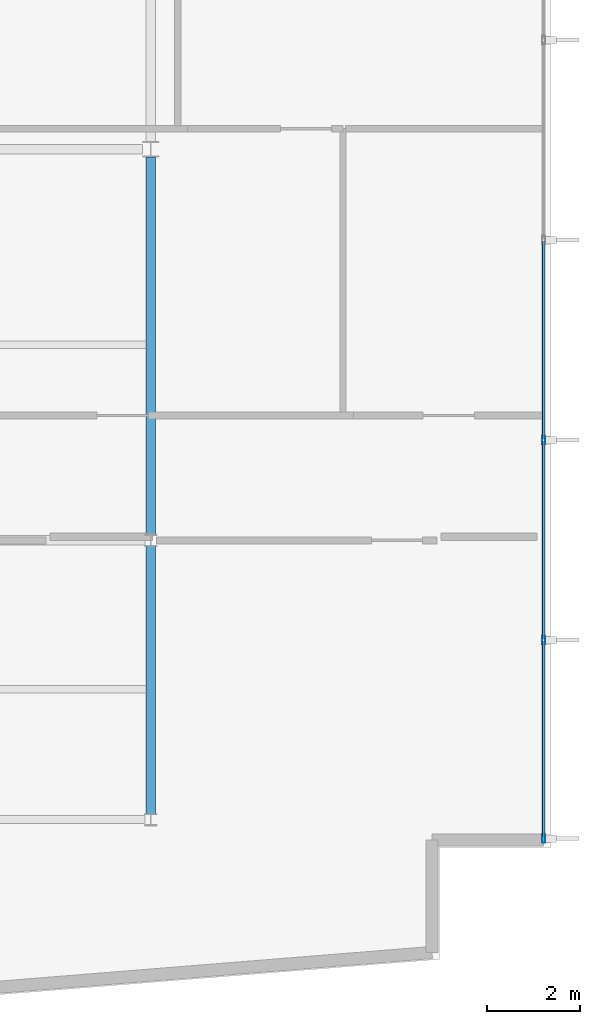
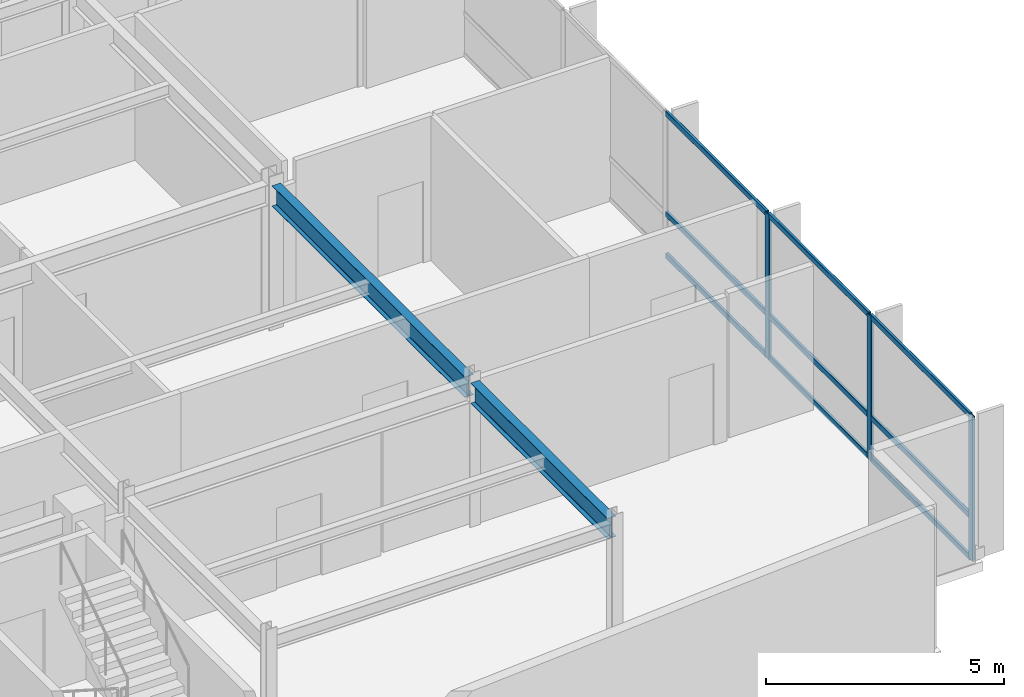
# One storey, part 7 of 16: 12 members, 2 beams, 1 element without a shape of its own.
"""IFC4 building model written with IfcOpenShell, lengths in metres."""

from ifc_helpers import new_model, si_unit, direction, frame, origin, origin_2d, place, context, subcontext, project, spatial, hollow_rectangle, i_section, extrude, material, layer, layer_set, material_profile, profile_set, type_object, element, aggregate, save


model = new_model("IFC4")

# Units and contexts
model_context = context("Model", 3, precision=1e-05, world=origin(), true_north=direction((0.0, 1.0)))
body_context = subcontext(model_context, "Body", "Model", "MODEL_VIEW")
ifc_project = project(units=[si_unit("LENGTHUNIT", "METRE"), si_unit("AREAUNIT", "SQUARE_METRE"), si_unit("VOLUMEUNIT", "CUBIC_METRE"), si_unit("PLANEANGLEUNIT", "RADIAN"), si_unit("MASSUNIT", "GRAM", prefix="KILO")], contexts=[model_context])

# Site, building, storey
site_placement = place(None, origin())
site = spatial("IfcSite", under=ifc_project, at=site_placement, CompositionType="ELEMENT")
building_placement = place(site_placement, origin())
building = spatial("IfcBuilding", under=site, at=building_placement, Name="Varnakote Quay Hospital", CompositionType="ELEMENT")
storey_placement = place(building_placement, frame((0.0, 0.0, 264.449951171875)))
storey = spatial("IfcBuildingStorey", under=building, at=storey_placement, Name="L65", CompositionType="ELEMENT", Elevation=264.449951171875)

# Beams
ifc_material_1 = material(Name="Structural steel AS/NZS 3679.1 Grade 350 L0 (fy 340 MPa)", Category="steel")
ifc_material_profile_1 = material_profile(ifc_material_1, i_section(OverallWidth=0.208984375, OverallDepth=0.528076171875, WebThickness=0.009521484375, FlangeThickness=0.01318359375, FilletRadius=0.013916015625, at=origin_2d()), Name="530UB82.0")
ifc_profile_set_1 = profile_set([ifc_material_profile_1], Name="Structural steel AS/NZS 3679.1 Grade 350 L0 (fy 340 MPa)")
beam_type = type_object("IfcBeamType", Name="BM-STL-530UB82-0", PredefinedType="BEAM", material=ifc_profile_set_1)
beam_1_placement = place(storey_placement, frame((33.60009765625, 6.126953125, 3.446044921875), z_axis=(0.0, 1.0, 0.0), x_axis=(-1.0, 0.0, 0.0)))
element("IfcBeam", 1, at=beam_1_placement, inside=storey, type_object=beam_type, Name="L65 Primary Tie Beam", PredefinedType="BEAM", context=body_context, shape_type="SweptSolid", body=[
    extrude(i_section(OverallWidth=0.208984375, OverallDepth=0.528076171875, WebThickness=0.009521484375, FlangeThickness=0.01318359375, FilletRadius=0.013916015625, at=origin_2d()), origin(), (0.0, 0.0, 1.0), 5.74609375),
])
beam_2_placement = place(storey_placement, frame((33.60009765625, 12.126953125, 3.446044921875), z_axis=(0.0, 1.0, 0.0), x_axis=(-1.0, 0.0, 0.0)))
element("IfcBeam", 2, at=beam_2_placement, inside=storey, type_object=beam_type, Name="L65 Primary Tie Beam", PredefinedType="BEAM", context=body_context, shape_type="SweptSolid", body=[
    extrude(i_section(OverallWidth=0.208984375, OverallDepth=0.528076171875, WebThickness=0.009521484375, FlangeThickness=0.01318359375, FilletRadius=0.013916015625, at=origin_2d()), origin(), (0.0, 0.0, 1.0), 8.10302734375),
])

# Curtain wall, members
ifc_material_2 = material(Name="Anodised aluminium 6063-T6 Bronze", Category="aluminium")
ifc_layer = layer(ifc_material_2, 0.235107421875)
ifc_layer_set = layer_set([ifc_layer], Name="Anodised aluminium 6063-T6 Bronze")
curtain_wall_type = type_object("IfcCurtainWallType", Name="CW-SYS-5", PredefinedType="NOTDEFINED", material=ifc_layer_set)
curtain_wall_placement = place(storey_placement, origin())
curtain_wall = element("IfcCurtainWall", 3, at=curtain_wall_placement, inside=storey, type_object=curtain_wall_type, Name="L65 Unitised Bronze Curtain Wall 1", PredefinedType="NOTDEFINED")
ifc_material_3 = material(Name="Anodised aluminium 6063-T6 Bronze", Category="aluminium")
ifc_material_profile_2 = material_profile(ifc_material_3, hollow_rectangle(XDim=0.06494140625, YDim=0.179931640625, WallThickness=0.00390625, InnerFilletRadius=0.00390625, OuterFilletRadius=0.008056640625, at=origin_2d()), Name="CW-MULL-180x65")
ifc_profile_set_2 = profile_set([ifc_material_profile_2], Name="Anodised aluminium 6063-T6 Bronze")
member_type_1 = type_object("IfcMemberType", Name="CW-MULL-180x65", PredefinedType="MULLION", material=ifc_profile_set_2)
member_1_placement = place(storey_placement, frame((42.0400390625, 5.592529296875, 0.0), z_axis=(0.0, 0.0, 1.0), x_axis=(-1.0, 0.0, 0.0)))
member_1 = element("IfcMember", 4, at=member_1_placement, type_object=member_type_1, Name="-5-L65-1 mullion 1", PredefinedType="MULLION", context=body_context, shape_type="SweptSolid", body=[
    extrude(hollow_rectangle(XDim=0.06494140625, YDim=0.179931640625, WallThickness=0.00390625, InnerFilletRadius=0.00390625, OuterFilletRadius=0.008056640625, at=origin_2d()), origin(), (0.0, 0.0, 1.0), 3.7099609375),
])
member_2_placement = place(storey_placement, frame((42.0400390625, 9.85595703125, 0.0), z_axis=(0.0, 0.0, 1.0), x_axis=(-1.0, 0.0, 0.0)))
member_2 = element("IfcMember", 5, at=member_2_placement, type_object=member_type_1, Name="-5-L65-1 mullion 2", PredefinedType="MULLION", context=body_context, shape_type="SweptSolid", body=[
    extrude(hollow_rectangle(XDim=0.06494140625, YDim=0.179931640625, WallThickness=0.00390625, InnerFilletRadius=0.00390625, OuterFilletRadius=0.008056640625, at=origin_2d()), origin(), (0.0, 0.0, 1.0), 3.7099609375),
])
member_3_placement = place(storey_placement, frame((42.0400390625, 14.152099609375, 0.0), z_axis=(0.0, 0.0, 1.0), x_axis=(-1.0, 0.0, 0.0)))
member_3 = element("IfcMember", 6, at=member_3_placement, type_object=member_type_1, Name="-5-L65-1 mullion 3", PredefinedType="MULLION", context=body_context, shape_type="SweptSolid", body=[
    extrude(hollow_rectangle(XDim=0.06494140625, YDim=0.179931640625, WallThickness=0.00390625, InnerFilletRadius=0.00390625, OuterFilletRadius=0.008056640625, at=origin_2d()), origin(), (0.0, 0.0, 1.0), 3.7099609375),
])
ifc_material_4 = material(Name="Anodised aluminium 6063-T6 Bronze", Category="aluminium")
ifc_material_profile_3 = material_profile(ifc_material_4, hollow_rectangle(XDim=0.06494140625, YDim=0.139892578125, WallThickness=0.00390625, InnerFilletRadius=0.00390625, OuterFilletRadius=0.007568359375, at=origin_2d()), Name="CW-TRAN-140x65")
ifc_profile_set_3 = profile_set([ifc_material_profile_3], Name="Anodised aluminium 6063-T6 Bronze")
member_type_2 = type_object("IfcMemberType", Name="CW-TRAN-140x65", PredefinedType="USERDEFINED", material=ifc_profile_set_3)
member_4_placement = place(storey_placement, frame((42.0400390625, 5.625, 0.032470703125), z_axis=(0.0, 1.0, 0.0), x_axis=(-1.0, 0.0, 0.0)))
member_4 = element("IfcMember", 7, at=member_4_placement, type_object=member_type_2, Name="-5-L65-1 transom 1.1", ObjectType="TRANSOM", PredefinedType="USERDEFINED", context=body_context, shape_type="SweptSolid", body=[
    extrude(hollow_rectangle(XDim=0.06494140625, YDim=0.139892578125, WallThickness=0.00390625, InnerFilletRadius=0.00390625, OuterFilletRadius=0.007568359375, at=origin_2d()), origin(), (0.0, 0.0, 1.0), 4.198486328125),
])
member_5_placement = place(storey_placement, frame((42.0400390625, 5.625, 1.10009765625), z_axis=(0.0, 1.0, 0.0), x_axis=(-1.0, 0.0, 0.0)))
member_5 = element("IfcMember", 8, at=member_5_placement, type_object=member_type_2, Name="-5-L65-1 transom 1.2", ObjectType="TRANSOM", PredefinedType="USERDEFINED", context=body_context, shape_type="SweptSolid", body=[
    extrude(hollow_rectangle(XDim=0.06494140625, YDim=0.139892578125, WallThickness=0.00390625, InnerFilletRadius=0.00390625, OuterFilletRadius=0.007568359375, at=origin_2d()), origin(), (0.0, 0.0, 1.0), 4.198486328125),
])
member_6_placement = place(storey_placement, frame((42.0400390625, 5.625, 3.677490234375), z_axis=(0.0, 1.0, 0.0), x_axis=(-1.0, 0.0, 0.0)))
member_6 = element("IfcMember", 9, at=member_6_placement, type_object=member_type_2, Name="-5-L65-1 transom 1.3", ObjectType="TRANSOM", PredefinedType="USERDEFINED", context=body_context, shape_type="SweptSolid", body=[
    extrude(hollow_rectangle(XDim=0.06494140625, YDim=0.139892578125, WallThickness=0.00390625, InnerFilletRadius=0.00390625, OuterFilletRadius=0.007568359375, at=origin_2d()), origin(), (0.0, 0.0, 1.0), 4.198486328125),
])
member_7_placement = place(storey_placement, frame((42.0400390625, 9.888427734375, 0.032470703125), z_axis=(0.0, 1.0, 0.0), x_axis=(-1.0, 0.0, 0.0)))
member_7 = element("IfcMember", 10, at=member_7_placement, type_object=member_type_2, Name="-5-L65-1 transom 2.1", ObjectType="TRANSOM", PredefinedType="USERDEFINED", context=body_context, shape_type="SweptSolid", body=[
    extrude(hollow_rectangle(XDim=0.06494140625, YDim=0.139892578125, WallThickness=0.00390625, InnerFilletRadius=0.00390625, OuterFilletRadius=0.007568359375, at=origin_2d()), origin(), (0.0, 0.0, 1.0), 4.23095703125),
])
member_8_placement = place(storey_placement, frame((42.0400390625, 9.888427734375, 1.10009765625), z_axis=(0.0, 1.0, 0.0), x_axis=(-1.0, 0.0, 0.0)))
member_8 = element("IfcMember", 11, at=member_8_placement, type_object=member_type_2, Name="-5-L65-1 transom 2.2", ObjectType="TRANSOM", PredefinedType="USERDEFINED", context=body_context, shape_type="SweptSolid", body=[
    extrude(hollow_rectangle(XDim=0.06494140625, YDim=0.139892578125, WallThickness=0.00390625, InnerFilletRadius=0.00390625, OuterFilletRadius=0.007568359375, at=origin_2d()), origin(), (0.0, 0.0, 1.0), 4.23095703125),
])
member_9_placement = place(storey_placement, frame((42.0400390625, 9.888427734375, 3.677490234375), z_axis=(0.0, 1.0, 0.0), x_axis=(-1.0, 0.0, 0.0)))
member_9 = element("IfcMember", 12, at=member_9_placement, type_object=member_type_2, Name="-5-L65-1 transom 2.3", ObjectType="TRANSOM", PredefinedType="USERDEFINED", context=body_context, shape_type="SweptSolid", body=[
    extrude(hollow_rectangle(XDim=0.06494140625, YDim=0.139892578125, WallThickness=0.00390625, InnerFilletRadius=0.00390625, OuterFilletRadius=0.007568359375, at=origin_2d()), origin(), (0.0, 0.0, 1.0), 4.23095703125),
])
member_10_placement = place(storey_placement, frame((42.0400390625, 14.1845703125, 0.032470703125), z_axis=(0.0, 1.0, 0.0), x_axis=(-1.0, 0.0, 0.0)))
member_10 = element("IfcMember", 13, at=member_10_placement, type_object=member_type_2, Name="-5-L65-1 transom 3.1", ObjectType="TRANSOM", PredefinedType="USERDEFINED", context=body_context, shape_type="SweptSolid", body=[
    extrude(hollow_rectangle(XDim=0.06494140625, YDim=0.139892578125, WallThickness=0.00390625, InnerFilletRadius=0.00390625, OuterFilletRadius=0.007568359375, at=origin_2d()), origin(), (0.0, 0.0, 1.0), 4.23095703125),
])
member_11_placement = place(storey_placement, frame((42.0400390625, 14.1845703125, 1.10009765625), z_axis=(0.0, 1.0, 0.0), x_axis=(-1.0, 0.0, 0.0)))
member_11 = element("IfcMember", 14, at=member_11_placement, type_object=member_type_2, Name="-5-L65-1 transom 3.2", ObjectType="TRANSOM", PredefinedType="USERDEFINED", context=body_context, shape_type="SweptSolid", body=[
    extrude(hollow_rectangle(XDim=0.06494140625, YDim=0.139892578125, WallThickness=0.00390625, InnerFilletRadius=0.00390625, OuterFilletRadius=0.007568359375, at=origin_2d()), origin(), (0.0, 0.0, 1.0), 4.23095703125),
])
member_12_placement = place(storey_placement, frame((42.0400390625, 14.1845703125, 3.677490234375), z_axis=(0.0, 1.0, 0.0), x_axis=(-1.0, 0.0, 0.0)))
member_12 = element("IfcMember", 15, at=member_12_placement, type_object=member_type_2, Name="-5-L65-1 transom 3.3", ObjectType="TRANSOM", PredefinedType="USERDEFINED", context=body_context, shape_type="SweptSolid", body=[
    extrude(hollow_rectangle(XDim=0.06494140625, YDim=0.139892578125, WallThickness=0.00390625, InnerFilletRadius=0.00390625, OuterFilletRadius=0.007568359375, at=origin_2d()), origin(), (0.0, 0.0, 1.0), 4.23095703125),
])
aggregate(curtain_wall, [member_1, member_2, member_3, member_4, member_5, member_6, member_7, member_8, member_9, member_10, member_11, member_12])

save(model, "model.ifc")
